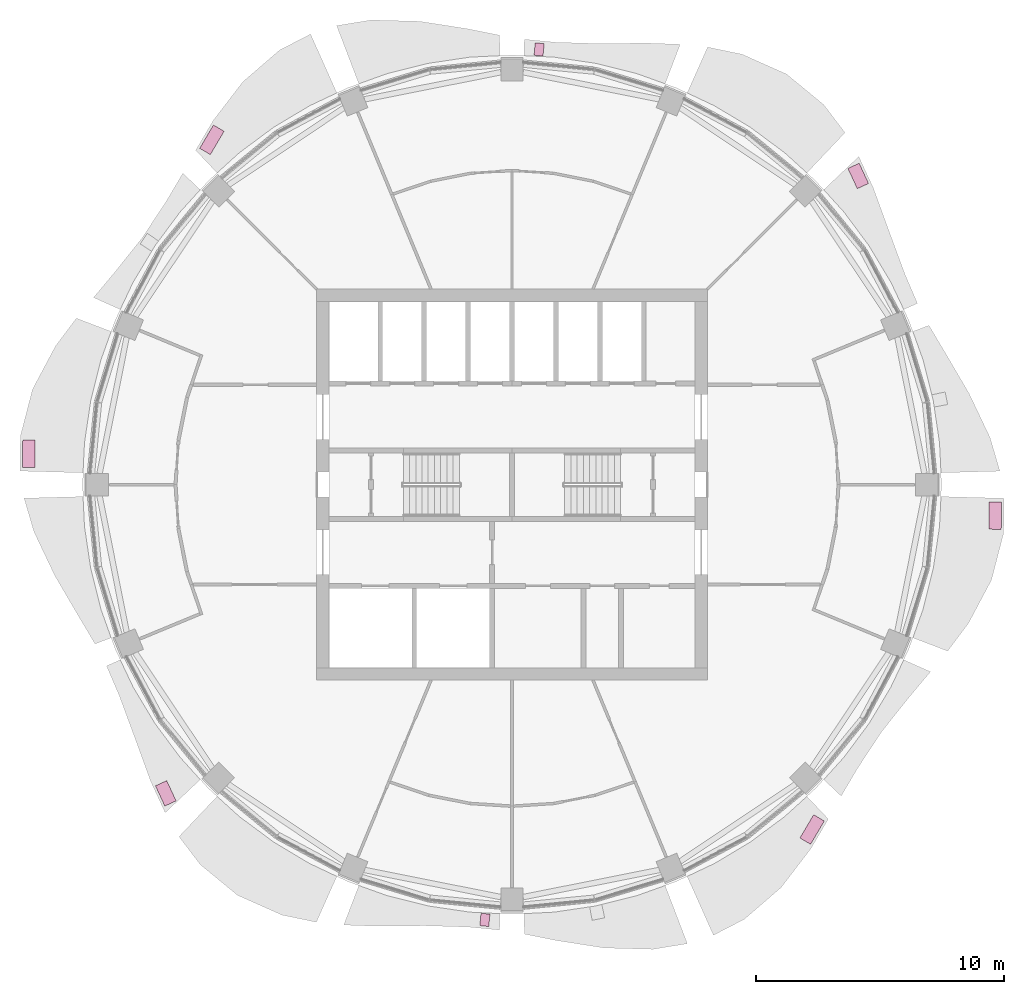
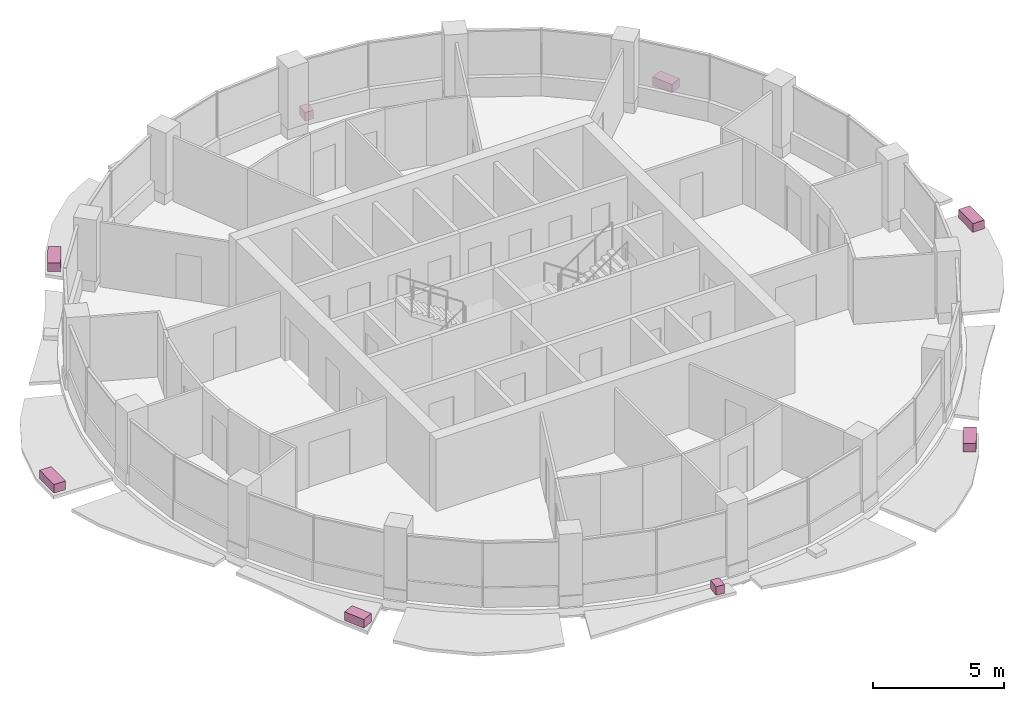
# One storey, part 15 of 15: 8 furniture elements.
"""IFC4 building model written with IfcOpenShell, lengths in metres."""

from ifc_helpers import new_model, si_unit, direction, frame, origin, origin_2d, place, context, subcontext, project, spatial, rectangle, extrude, material, type_object, element, save


model = new_model("IFC4")

# Units and contexts
model_context = context("Model", 3, precision=1e-05, world=origin(), true_north=direction((0.0, 1.0)))
body_context = subcontext(model_context, "Body", "Model", "MODEL_VIEW")
ifc_project = project(units=[si_unit("LENGTHUNIT", "METRE"), si_unit("AREAUNIT", "SQUARE_METRE"), si_unit("VOLUMEUNIT", "CUBIC_METRE"), si_unit("PLANEANGLEUNIT", "RADIAN"), si_unit("MASSUNIT", "GRAM", prefix="KILO")], contexts=[model_context])

# Site, building, storey
site_placement = place(None, origin())
site = spatial("IfcSite", under=ifc_project, at=site_placement, CompositionType="ELEMENT")
building_placement = place(site_placement, origin())
building = spatial("IfcBuilding", under=site, at=building_placement, Name="Polderwave Tower", CompositionType="ELEMENT")
storey_placement = place(building_placement, frame((0.0, 0.0, 197.699951171875)))
storey = spatial("IfcBuildingStorey", under=building, at=storey_placement, Name="L53", CompositionType="ELEMENT", Elevation=197.699951171875)

# Furniture
ifc_material = material(Name="Terracotta", Category="masonry")
furniture_type = type_object("IfcFurnitureType", Name="Terracotta planting trough", AssemblyPlace="NOTDEFINED", PredefinedType="USERDEFINED", material=ifc_material)
furniture_1_placement = place(storey_placement, frame((13.943359375, 12.4326171875, -0.199951171875), z_axis=(0.0, 0.0, 1.0), x_axis=(-0.42012532449, 0.90746609398, 0.0)))
element("IfcFurniture", 1, at=furniture_1_placement, inside=storey, type_object=furniture_type, Name="Planting trough L53 2", ObjectType="PLANTER", PredefinedType="USERDEFINED", context=body_context, shape_type="SweptSolid", body=[
    extrude(rectangle(XDim=0.89892578125, YDim=0.5, at=origin_2d()), origin(), (0.0, 0.0, 1.0), 0.39990234375),
])
furniture_2_placement = place(storey_placement, frame((1.09228515625, 17.528564453125, -0.199951171875), z_axis=(0.0, 0.0, 1.0), x_axis=(-0.995398540024, 0.095821430374, 0.0)))
element("IfcFurniture", 2, at=furniture_2_placement, inside=storey, type_object=furniture_type, Name="Planting trough L53 4", ObjectType="PLANTER", PredefinedType="USERDEFINED", context=body_context, shape_type="SweptSolid", body=[
    extrude(rectangle(XDim=0.36376953125, YDim=0.5, at=origin_2d()), origin(), (0.0, 0.0, 1.0), 0.39990234375),
])
furniture_3_placement = place(storey_placement, frame((-12.08642578125, 13.88818359375, -0.199951171875), z_axis=(0.0, 0.0, 1.0), x_axis=(-0.507463169699, -0.861673448238, 0.0)))
element("IfcFurniture", 3, at=furniture_3_placement, inside=storey, type_object=furniture_type, Name="Planting trough L53 6", ObjectType="PLANTER", PredefinedType="USERDEFINED", context=body_context, shape_type="SweptSolid", body=[
    extrude(rectangle(XDim=1.090576171875, YDim=0.5, at=origin_2d()), origin(), (0.0, 0.0, 1.0), 0.39990234375),
])
furniture_4_placement = place(storey_placement, frame((-19.4580078125, 1.246337890625, -0.199951171875), z_axis=(0.0, 0.0, 1.0), x_axis=(-0.009047663397, -0.999959069056, 0.0)))
element("IfcFurniture", 4, at=furniture_4_placement, inside=storey, type_object=furniture_type, Name="Planting trough L53 8", ObjectType="PLANTER", PredefinedType="USERDEFINED", context=body_context, shape_type="SweptSolid", body=[
    extrude(rectangle(XDim=1.1015625, YDim=0.5, at=origin_2d()), origin(), (0.0, 0.0, 1.0), 0.39990234375),
])
furniture_5_placement = place(storey_placement, frame((-13.943359375, -12.4326171875, -0.199951171875), z_axis=(0.0, 0.0, 1.0), x_axis=(0.42012532449, -0.90746609398, 0.0)))
element("IfcFurniture", 5, at=furniture_5_placement, inside=storey, type_object=furniture_type, Name="Planting trough L53 10", ObjectType="PLANTER", PredefinedType="USERDEFINED", context=body_context, shape_type="SweptSolid", body=[
    extrude(rectangle(XDim=0.89892578125, YDim=0.5, at=origin_2d()), origin(), (0.0, 0.0, 1.0), 0.39990234375),
])
furniture_6_placement = place(storey_placement, frame((-1.09228515625, -17.528564453125, -0.199951171875), z_axis=(0.0, 0.0, 1.0), x_axis=(0.995398540024, -0.095821430374, 0.0)))
element("IfcFurniture", 6, at=furniture_6_placement, inside=storey, type_object=furniture_type, Name="Planting trough L53 12", ObjectType="PLANTER", PredefinedType="USERDEFINED", context=body_context, shape_type="SweptSolid", body=[
    extrude(rectangle(XDim=0.36376953125, YDim=0.5, at=origin_2d()), origin(), (0.0, 0.0, 1.0), 0.39990234375),
])
furniture_7_placement = place(storey_placement, frame((12.08642578125, -13.88818359375, -0.199951171875), z_axis=(0.0, 0.0, 1.0), x_axis=(0.507463169699, 0.861673448238, 0.0)))
element("IfcFurniture", 7, at=furniture_7_placement, inside=storey, type_object=furniture_type, Name="Planting trough L53 14", ObjectType="PLANTER", PredefinedType="USERDEFINED", context=body_context, shape_type="SweptSolid", body=[
    extrude(rectangle(XDim=1.090576171875, YDim=0.5, at=origin_2d()), origin(), (0.0, 0.0, 1.0), 0.39990234375),
])
furniture_8_placement = place(storey_placement, frame((19.4580078125, -1.246337890625, -0.199951171875), z_axis=(0.0, 0.0, 1.0), x_axis=(0.009047663397, 0.999959069056, 0.0)))
element("IfcFurniture", 8, at=furniture_8_placement, inside=storey, type_object=furniture_type, Name="Planting trough L53 16", ObjectType="PLANTER", PredefinedType="USERDEFINED", context=body_context, shape_type="SweptSolid", body=[
    extrude(rectangle(XDim=1.1015625, YDim=0.5, at=origin_2d()), origin(), (0.0, 0.0, 1.0), 0.39990234375),
])

save(model, "model.ifc")
